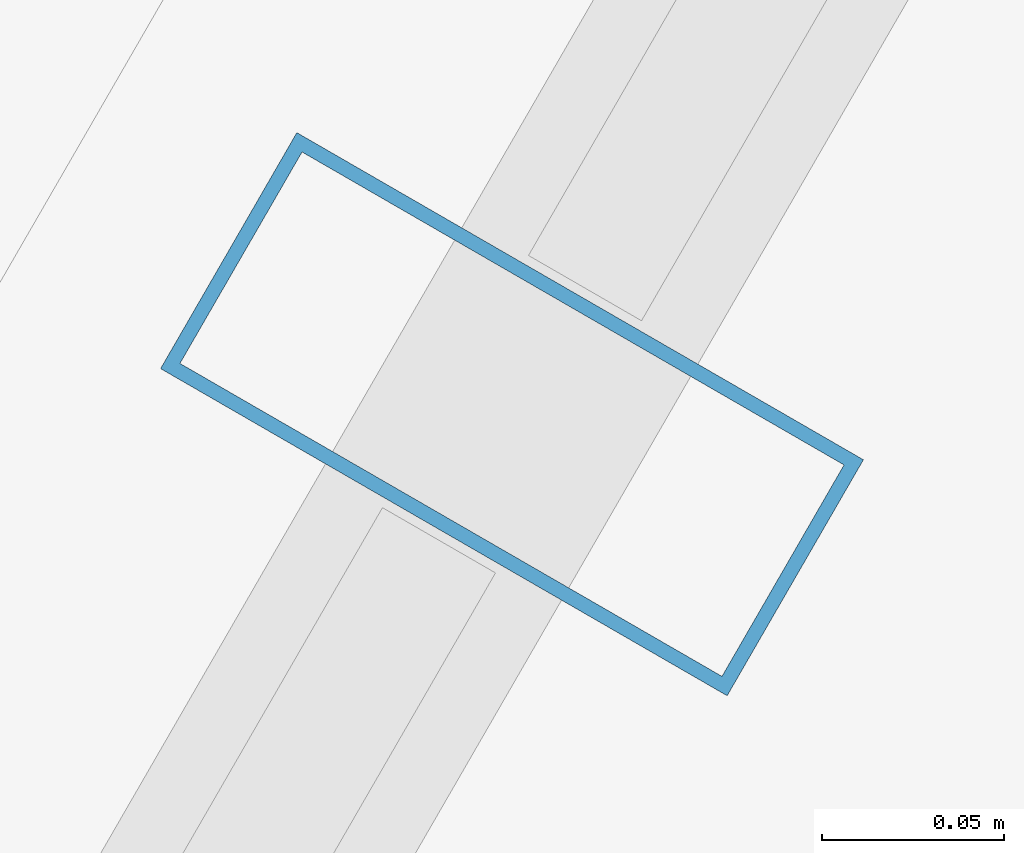
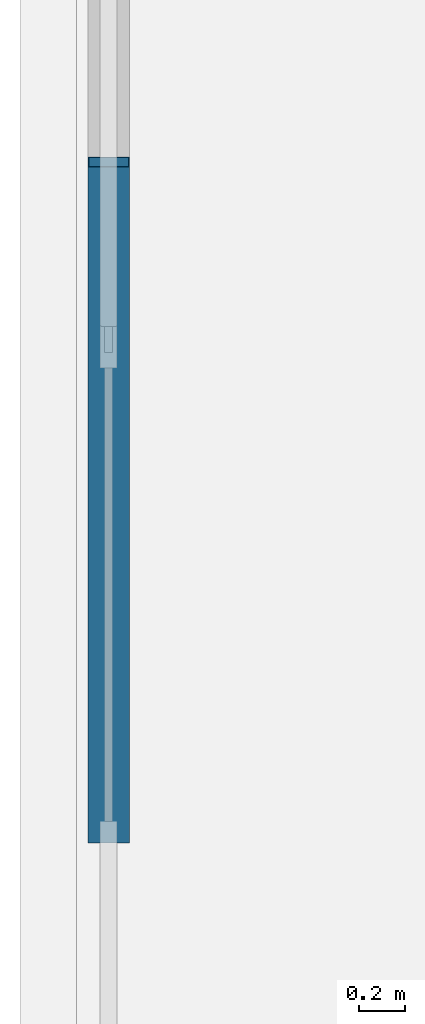
# One storey, part 15 of 32: 1 member, 1 element without a shape of its own.
"""IFC4 building model written with IfcOpenShell, lengths in metres."""

from ifc_helpers import new_model, si_unit, direction, frame, origin, origin_2d, place, context, subcontext, project, spatial, hollow_rectangle, extrude, material, layer, layer_set, material_profile, profile_set, type_object, element, aggregate, save


model = new_model("IFC4")

# Units and contexts
model_context = context("Model", 3, precision=1e-05, world=origin(), true_north=direction((0.0, 1.0)))
body_context = subcontext(model_context, "Body", "Model", "MODEL_VIEW")
ifc_project = project(units=[si_unit("LENGTHUNIT", "METRE"), si_unit("AREAUNIT", "SQUARE_METRE"), si_unit("VOLUMEUNIT", "CUBIC_METRE"), si_unit("PLANEANGLEUNIT", "RADIAN"), si_unit("MASSUNIT", "GRAM", prefix="KILO")], contexts=[model_context])

# Site, building, storey
site_placement = place(None, origin())
site = spatial("IfcSite", under=ifc_project, at=site_placement, CompositionType="ELEMENT")
building_placement = place(site_placement, origin())
building = spatial("IfcBuilding", under=site, at=building_placement, Name="Ndaravel Arena Tower", CompositionType="ELEMENT")
storey_placement = place(building_placement, frame((0.0, 0.0, 93.0)))
storey = spatial("IfcBuildingStorey", under=building, at=storey_placement, Name="L21", CompositionType="ELEMENT", Elevation=93.0)

# Curtain wall, member
ifc_material_1 = material(Name="Aluminium", Category="aluminium")
ifc_layer = layer(ifc_material_1, 0.179931640625)
ifc_layer_set = layer_set([ifc_layer], Name="Aluminium")
curtain_wall_type = type_object("IfcCurtainWallType", Name="CW-SYS-03", PredefinedType="NOTDEFINED", material=ifc_layer_set)
curtain_wall_placement = place(storey_placement, origin())
curtain_wall = element("IfcCurtainWall", 1, at=curtain_wall_placement, inside=storey, type_object=curtain_wall_type, Name="L21 Faceted Crystal Curtain Wall CW-L21-E05", PredefinedType="NOTDEFINED")
ifc_material_2 = material(Name="Aluminium", Category="aluminium")
ifc_material_profile = material_profile(ifc_material_2, hollow_rectangle(XDim=0.074951171875, YDim=0.179931640625, WallThickness=0.00390625, at=origin_2d()), Name="CW MULLION 75x180x4")
ifc_profile_set = profile_set([ifc_material_profile], Name="Aluminium")
member_type = type_object("IfcMemberType", Name="MEM-CW-MUL180", PredefinedType="MULLION", material=ifc_profile_set)
member_placement = place(storey_placement, frame((28.841796875, 35.14404296875, 0.0), z_axis=(0.0, 0.0, 1.0), x_axis=(-0.5, -0.866025403784, 0.0)))
member = element("IfcMember", 2, at=member_placement, type_object=member_type, Name="CW-L21-E05 Mullion 03", PredefinedType="MULLION", context=body_context, shape_type="SweptSolid", body=[
    extrude(hollow_rectangle(XDim=0.074951171875, YDim=0.179931640625, WallThickness=0.00390625, at=origin_2d()), origin(), (0.0, 0.0, 1.0), 3.580078125),
])
aggregate(curtain_wall, [member])

save(model, "model.ifc")
